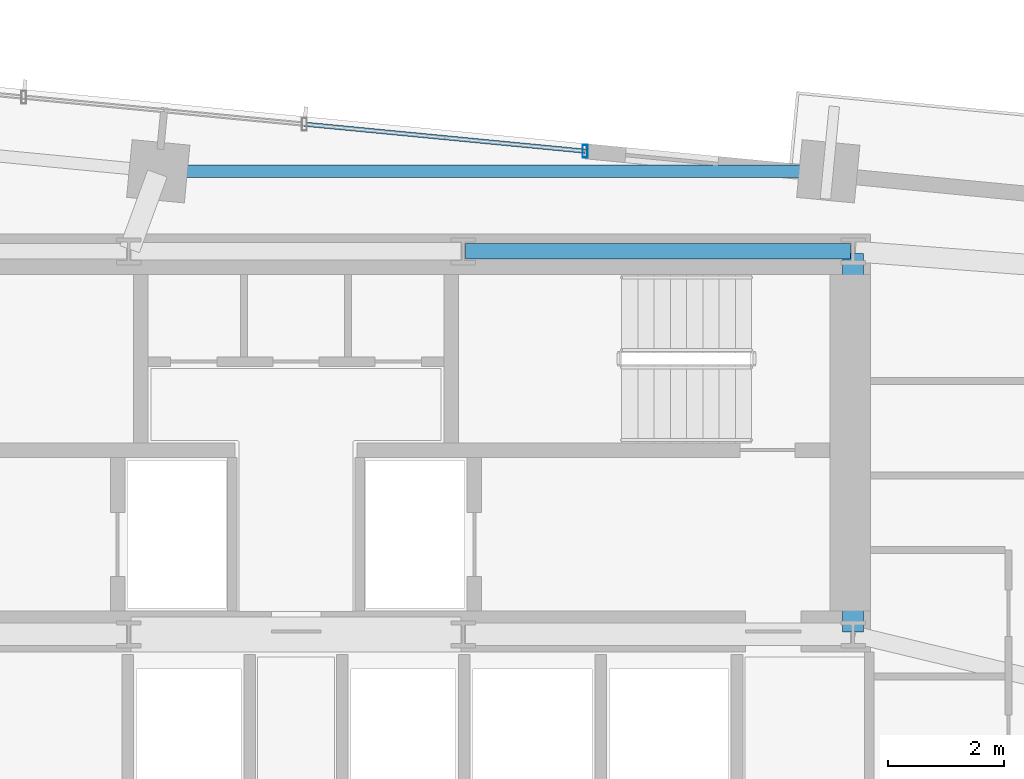
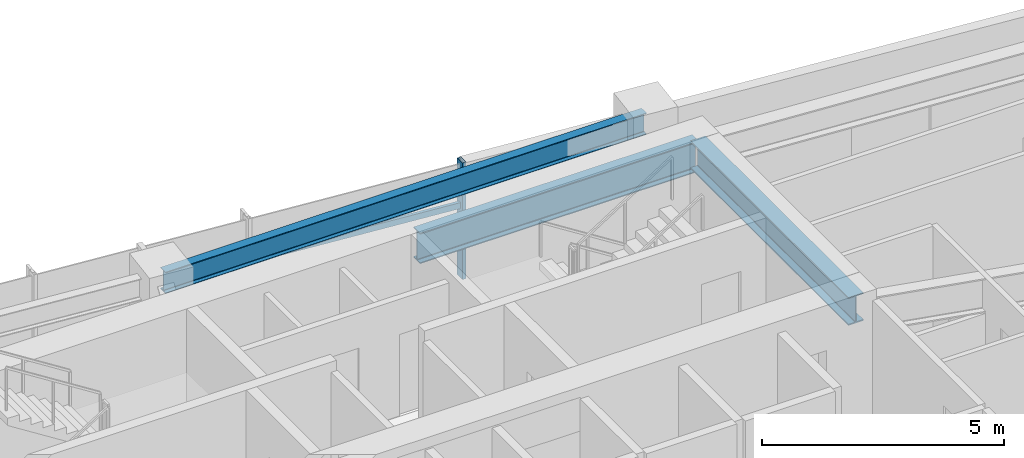
# One storey, part 12 of 20: 3 beams, 2 members, 1 element without a shape of its own.
"""IFC4 building model written with IfcOpenShell, lengths in metres."""

from ifc_helpers import new_model, si_unit, direction, frame, origin, origin_2d, place, context, subcontext, project, spatial, hollow_rectangle, i_section, extrude, source, transform, mapped, material, material_profile, profile_set, type_object, type_shapes, element, aggregate, save


model = new_model("IFC4")

# Units and contexts
model_context = context("Model", 3, precision=1e-05, world=origin(), true_north=direction((0.0, 1.0)))
body_context = subcontext(model_context, "Body", "Model", "MODEL_VIEW")
ifc_project = project(units=[si_unit("LENGTHUNIT", "METRE"), si_unit("AREAUNIT", "SQUARE_METRE"), si_unit("VOLUMEUNIT", "CUBIC_METRE"), si_unit("PLANEANGLEUNIT", "RADIAN"), si_unit("MASSUNIT", "GRAM", prefix="KILO")], contexts=[model_context])

# Site, building, storey
site_placement = place(None, origin())
site = spatial("IfcSite", under=ifc_project, at=site_placement, CompositionType="ELEMENT")
building_placement = place(site_placement, origin())
building = spatial("IfcBuilding", under=site, at=building_placement, Name="Astriad Promenade Condominiums", CompositionType="ELEMENT")
storey_placement = place(building_placement, frame((0.0, 0.0, 137.39990234375)))
storey = spatial("IfcBuildingStorey", under=building, at=storey_placement, Name="L39", CompositionType="ELEMENT", Elevation=137.39990234375)

# Beams
ifc_material_1 = material(Name="Steel ASTM A992 Grade 50", Category="steel")
ifc_material_profile_1 = material_profile(ifc_material_1, i_section(OverallWidth=0.267822265625, OverallDepth=0.76953125, WebThickness=0.015625, FlangeThickness=0.025390625, FilletRadius=0.021484375, at=origin_2d()), Name="W30X132")
ifc_profile_set_1 = profile_set([ifc_material_profile_1], Name="Steel ASTM A992 Grade 50")
beam_type_1 = type_object("IfcBeamType", Name="STEEL FLOOR GIRDER W30X132", PredefinedType="BEAM", material=ifc_profile_set_1)
shared_shape_1 = source(origin(), body_context, "Body", "SweptSolid", [
    extrude(i_section(OverallWidth=0.267822265625, OverallDepth=0.76953125, WebThickness=0.015625, FlangeThickness=0.025390625, FilletRadius=0.021484375, at=origin_2d()), origin(), (0.0, 0.0, 1.0), 6.64013671875),
])
type_shapes(beam_type_1, [shared_shape_1])
beam_1_placement = place(storey_placement, frame((38.919921875, 24.0, 2.55517578125), z_axis=(1.0, 0.0, 0.0), x_axis=(0.0, 1.0, 0.0)))
element("IfcBeam", 1, at=beam_1_placement, inside=storey, type_object=beam_type_1, Name="Core Ring Beam CG-N3-L39", PredefinedType="BEAM", context=body_context, shape_type="MappedRepresentation", body=[
    mapped(shared_shape_1, transform((0.0, 0.0, 0.0), scale=1.0)),
])
ifc_material_profile_2 = material_profile(ifc_material_1, i_section(OverallWidth=0.35791015625, OverallDepth=0.706298828125, WebThickness=0.018310546875, FlangeThickness=0.0302734375, FilletRadius=0.020263671875, at=origin_2d()), Name="W27X178")
ifc_profile_set_2 = profile_set([ifc_material_profile_2], Name="Steel ASTM A992 Grade 50")
beam_type_2 = type_object("IfcBeamType", Name="STEEL FLOOR GIRDER W27X178", PredefinedType="BEAM", material=ifc_profile_set_2)
shared_shape_2 = source(origin(), body_context, "Body", "SweptSolid", [
    extrude(i_section(OverallWidth=0.35791015625, OverallDepth=0.706298828125, WebThickness=0.018310546875, FlangeThickness=0.0302734375, FilletRadius=0.020263671875, at=origin_2d()), origin(), (0.0, 0.0, 1.0), 6.52001953125),
])
type_shapes(beam_type_2, [shared_shape_2])
beam_2_placement = place(storey_placement, frame((45.60009765625, 17.43994140625, 2.5869140625), z_axis=(0.0, 1.0, 0.0), x_axis=(-1.0, 0.0, 0.0)))
element("IfcBeam", 2, at=beam_2_placement, inside=storey, type_object=beam_type_2, Name="Core Ring Beam CG-E1-L39", PredefinedType="BEAM", context=body_context, shape_type="MappedRepresentation", body=[
    mapped(shared_shape_2, transform((0.0, 0.0, 0.0), scale=1.0)),
])
ifc_material_profile_3 = material_profile(ifc_material_1, i_section(OverallWidth=0.210693359375, OverallDepth=0.53955078125, WebThickness=0.01171875, FlangeThickness=0.018798828125, FilletRadius=0.0166015625, at=origin_2d()), Name="W21X73")
ifc_profile_set_3 = profile_set([ifc_material_profile_3], Name="Steel ASTM A992 Grade 50")
beam_type_3 = type_object("IfcBeamType", Name="STEEL SPANDREL BEAM W21X73", PredefinedType="SPANDREL", material=ifc_profile_set_3)
shared_shape_3 = source(origin(), body_context, "Body", "SweptSolid", [
    extrude(i_section(OverallWidth=0.210693359375, OverallDepth=0.53955078125, WebThickness=0.01171875, FlangeThickness=0.018798828125, FilletRadius=0.0166015625, at=origin_2d()), origin(), (0.0, 0.0, 1.0), 11.466552734375),
])
type_shapes(beam_type_3, [shared_shape_3])
beam_3_placement = place(storey_placement, frame((45.1328125, 25.3798828125, 2.67041015625), z_axis=(-0.999999999093, 4.258309e-05, 0.0), x_axis=(-4.258309e-05, -0.999999999093, 0.0)))
element("IfcBeam", 3, at=beam_3_placement, inside=storey, type_object=beam_type_3, Name="Perimeter Spandrel Beam SP-N3-L39", PredefinedType="SPANDREL", context=body_context, shape_type="MappedRepresentation", body=[
    mapped(shared_shape_3, transform((0.0, 0.0, 0.0), scale=1.0)),
])

# Curtain wall, members
ifc_material_2 = material(Name="Anodised aluminium Black Dark Glass Unitised", Category="aluminium")
curtain_wall_type = type_object("IfcCurtainWallType", Name="CW-B34-DARK", PredefinedType="USERDEFINED", material=ifc_material_2)
curtain_wall_placement = place(storey_placement, origin())
curtain_wall = element("IfcCurtainWall", 4, at=curtain_wall_placement, inside=storey, type_object=curtain_wall_type, Name="CW-L39-N", ObjectType="UNITISED_CURTAIN_WALL", PredefinedType="USERDEFINED")
ifc_material_3 = material(Name="Anodised aluminium 6063-T6 Black", Category="aluminium")
ifc_material_profile_4 = material_profile(ifc_material_3, hollow_rectangle(XDim=0.074951171875, YDim=0.14990234375, WallThickness=0.004150390625, at=origin_2d()), Name="ALU-TRN-75X150")
ifc_profile_set_4 = profile_set([ifc_material_profile_4], Name="Anodised aluminium 6063-T6 Black")
member_type_1 = type_object("IfcMemberType", Name="TRN-ALU-TRN-75X150", PredefinedType="USERDEFINED", material=ifc_profile_set_4)
shared_shape_4 = source(origin(), body_context, "Body", "SweptSolid", [
    extrude(hollow_rectangle(XDim=0.074951171875, YDim=0.14990234375, WallThickness=0.004150390625, at=origin_2d()), origin(), (0.0, 0.0, 1.0), 4.860107421875),
])
type_shapes(member_type_1, [shared_shape_4])
member_1_placement = place(storey_placement, frame((36.145751953125, 26.1923828125, 1.822998046875), z_axis=(0.995400834012, -0.095797597298, 0.0), x_axis=(0.095797597298, 0.995400834012, 0.0)))
member_1 = element("IfcMember", 5, at=member_1_placement, type_object=member_type_1, Name="CW-L39-N-TRN-02-0", ObjectType="TRANSOM", PredefinedType="USERDEFINED", context=body_context, shape_type="MappedRepresentation", body=[
    mapped(shared_shape_4, transform((0.0, 0.0, 0.0), scale=1.0)),
])
ifc_material_profile_5 = material_profile(ifc_material_3, hollow_rectangle(XDim=0.0849609375, YDim=0.219970703125, WallThickness=0.0048828125, at=origin_2d()), Name="ALU-MUL-85X220")
ifc_profile_set_5 = profile_set([ifc_material_profile_5], Name="Anodised aluminium 6063-T6 Black")
member_type_2 = type_object("IfcMemberType", Name="MUL-ALU-MUL-85X220", PredefinedType="MULLION", material=ifc_profile_set_5)
shared_shape_5 = source(origin(), body_context, "Body", "SweptSolid", [
    extrude(hollow_rectangle(XDim=0.0849609375, YDim=0.219970703125, WallThickness=0.0048828125, at=origin_2d()), origin(), (0.0, 0.0, 1.0), 2.940185546875),
])
type_shapes(member_type_2, [shared_shape_5])
member_2_placement = place(storey_placement, frame((40.9833984375, 25.726806640625, 0.0), z_axis=(0.0, 0.0, 1.0), x_axis=(1.0, 0.0, 0.0)))
member_2 = element("IfcMember", 6, at=member_2_placement, type_object=member_type_2, Name="CW-L39-N-MUL-03", PredefinedType="MULLION", context=body_context, shape_type="MappedRepresentation", body=[
    mapped(shared_shape_5, transform((0.0, 0.0, 0.0), scale=1.0)),
])
aggregate(curtain_wall, [member_2, member_1])

save(model, "model.ifc")
